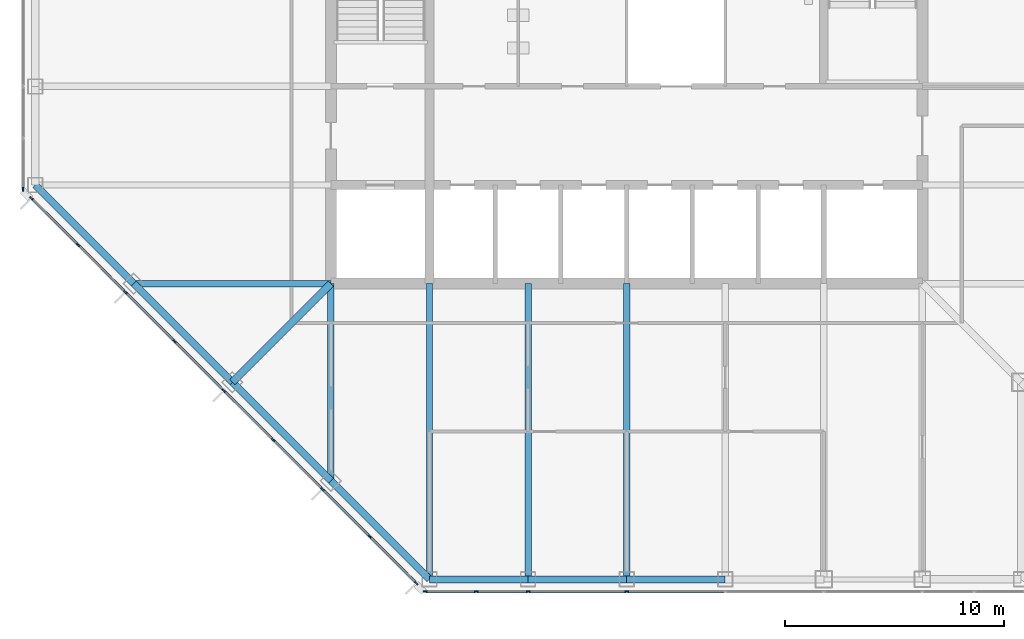
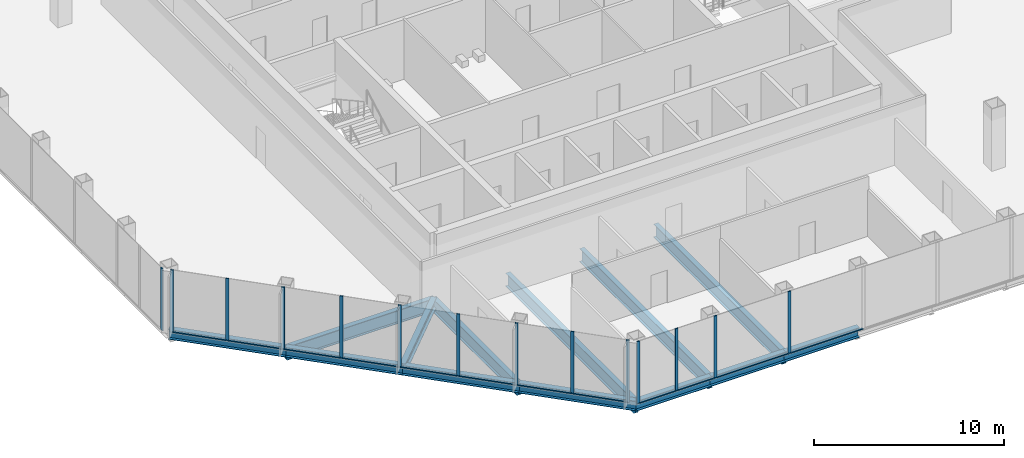
# One storey, part 2 of 12: 26 members, 13 beams, 3 elements without a shape of their own.
"""IFC4 building model written with IfcOpenShell, lengths in metres."""

from ifc_helpers import new_model, si_unit, direction, frame, origin, origin_2d, place, context, subcontext, project, spatial, rectangle, i_section, extrude, material, material_profile, profile_set, type_object, element, aggregate, save


model = new_model("IFC4")

# Units and contexts
model_context = context("Model", 3, precision=1e-05, world=origin(), true_north=direction((0.0, 1.0)))
body_context = subcontext(model_context, "Body", "Model", "MODEL_VIEW")
ifc_project = project(units=[si_unit("LENGTHUNIT", "METRE"), si_unit("AREAUNIT", "SQUARE_METRE"), si_unit("VOLUMEUNIT", "CUBIC_METRE"), si_unit("PLANEANGLEUNIT", "RADIAN"), si_unit("MASSUNIT", "GRAM", prefix="KILO")], contexts=[model_context])

# Site, building, storey
site_placement = place(None, origin())
site = spatial("IfcSite", under=ifc_project, at=site_placement, CompositionType="ELEMENT")
building_placement = place(site_placement, origin())
building = spatial("IfcBuilding", under=site, at=building_placement, Name="Corais Broadcast Tower", CompositionType="ELEMENT")
storey_placement = place(building_placement, frame((0.0, 0.0, 183.60009765625)))
storey = spatial("IfcBuildingStorey", under=building, at=storey_placement, Name="L42", CompositionType="ELEMENT", Elevation=183.60009765625)

# Beams
ifc_material_1 = material(Name="Steel ASTM A572 Grade 50", Category="steel")
ifc_material_profile_1 = material_profile(ifc_material_1, i_section(OverallWidth=0.323974609375, OverallDepth=0.611083984375, WebThickness=0.0126953125, FlangeThickness=0.01904296875, at=origin_2d()), Name="W610x155")
ifc_profile_set_1 = profile_set([ifc_material_profile_1], Name="Steel ASTM A572 Grade 50")
beam_type_1 = type_object("IfcBeamType", Name="Corner diagonal W610x155", PredefinedType="BEAM", material=ifc_profile_set_1)
beam_1_placement = place(storey_placement, frame((9.0, 9.0, -0.465576171875), z_axis=(0.707106781187, 0.707106781187, 0.0), x_axis=(-0.707106781187, 0.707106781187, 0.0)))
element("IfcBeam", 1, at=beam_1_placement, inside=storey, type_object=beam_type_1, Name="B6 C/5 to D/6", PredefinedType="BEAM", context=body_context, shape_type="SweptSolid", body=[
    extrude(i_section(OverallWidth=0.323974609375, OverallDepth=0.611083984375, WebThickness=0.0126953125, FlangeThickness=0.01904296875, at=origin_2d()), origin(), (0.0, 0.0, 1.0), 6.364013671875),
])
ifc_material_2 = material(Name="Steel ASTM A572 Grade 50", Category="steel")
ifc_material_profile_2 = material_profile(ifc_material_2, i_section(OverallWidth=0.2939453125, OverallDepth=0.85107421875, WebThickness=0.01611328125, FlangeThickness=0.02685546875, at=origin_2d()), Name="W840x226")
ifc_profile_set_2 = profile_set([ifc_material_profile_2], Name="Steel ASTM A572 Grade 50")
beam_type_2 = type_object("IfcBeamType", Name="Floor beam W840x226", PredefinedType="BEAM", material=ifc_profile_set_2)
beam_2_placement = place(storey_placement, frame((13.5, 4.5, -0.585693359375), z_axis=(0.0, 1.0, 0.0), x_axis=(-1.0, 0.0, 0.0)))
element("IfcBeam", 2, at=beam_2_placement, inside=storey, type_object=beam_type_2, Name="B1 B/6 to D/6", PredefinedType="BEAM", context=body_context, shape_type="SweptSolid", body=[
    extrude(i_section(OverallWidth=0.2939453125, OverallDepth=0.85107421875, WebThickness=0.01611328125, FlangeThickness=0.02685546875, at=origin_2d()), origin(), (0.0, 0.0, 1.0), 9.0),
])
for number, where, z_axis, x_axis, name in (
    (3, (18.0, 0.0, -0.585693359375), (0.0, 1.0, 0.0), (-1.0, 0.0, 0.0), "B1 A/7 to D/7"),
    (4, (22.5, 0.0, -0.585693359375), (0.0, 1.0, 0.0), (-1.0, 0.0, 0.0), "B1 A/8 to D/8"),
    (5, (27.0, 0.0, -0.585693359375), (0.0, 1.0, 0.0), (-1.0, 0.0, 0.0), "B1 A/9 to D/9"),
):
    element("IfcBeam", number, at=place(storey_placement, frame(where, z_axis=z_axis, x_axis=x_axis)), inside=storey, type_object=beam_type_2, Name=name, PredefinedType="BEAM", context=body_context, shape_type="SweptSolid", body=[
        extrude(i_section(OverallWidth=0.2939453125, OverallDepth=0.85107421875, WebThickness=0.01611328125, FlangeThickness=0.02685546875, at=origin_2d()), origin(), (0.0, 0.0, 1.0), 13.5),
    ])
beam_3_placement = place(storey_placement, frame((4.5, 13.5, -0.585693359375), z_axis=(1.0, 0.0, 0.0), x_axis=(0.0, 1.0, 0.0)))
element("IfcBeam", 6, at=beam_3_placement, inside=storey, type_object=beam_type_2, Name="B1 D/4 to D/6", PredefinedType="BEAM", context=body_context, shape_type="SweptSolid", body=[
    extrude(i_section(OverallWidth=0.2939453125, OverallDepth=0.85107421875, WebThickness=0.01611328125, FlangeThickness=0.02685546875, at=origin_2d()), origin(), (0.0, 0.0, 1.0), 9.0),
])

# Curtain wall, members
ifc_material_3 = material(Name="Aluminium and glass", Category="aluminium")
curtain_wall_type = type_object("IfcCurtainWallType", Name="Unitised fritted curtain wall CW2", PredefinedType="NOTDEFINED", material=ifc_material_3)
curtain_wall_1_placement = place(storey_placement, origin())
curtain_wall_1 = element("IfcCurtainWall", 7, at=curtain_wall_1_placement, inside=storey, type_object=curtain_wall_type, Name="CW2 curtain wall L42 1", PredefinedType="NOTDEFINED")
ifc_material_4 = material(Name="Aluminium 6063-T6", Category="aluminium")
ifc_material_profile_3 = material_profile(ifc_material_4, rectangle(XDim=0.06494140625, YDim=0.179931640625, at=origin_2d()), Name="Mullion CW2 65x180")
ifc_profile_set_3 = profile_set([ifc_material_profile_3], Name="Aluminium 6063-T6")
member_type_1 = type_object("IfcMemberType", Name="Mullion CW2 65x180", PredefinedType="MULLION", material=ifc_profile_set_3)
member_1_placement = place(storey_placement, frame((17.3955078125, -0.17333984375, 0.0), z_axis=(0.0, 0.0, 1.0), x_axis=(-0.707106781187, -0.707106781187, 0.0)))
member_1 = element("IfcMember", 8, at=member_1_placement, type_object=member_type_1, Name="CW2 mullion 1", PredefinedType="MULLION", context=body_context, shape_type="SweptSolid", body=[
    extrude(rectangle(XDim=0.06494140625, YDim=0.179931640625, at=origin_2d()), origin(), (0.0, 0.0, 1.0), 4.0),
])
member_2_placement = place(storey_placement, frame((15.264892578125, 1.957275390625, 0.0), z_axis=(0.0, 0.0, 1.0), x_axis=(-0.707106781187, -0.707106781187, 0.0)))
member_2 = element("IfcMember", 9, at=member_2_placement, type_object=member_type_1, Name="CW2 mullion 2", PredefinedType="MULLION", context=body_context, shape_type="SweptSolid", body=[
    extrude(rectangle(XDim=0.06494140625, YDim=0.179931640625, at=origin_2d()), origin(), (0.0, 0.0, 1.0), 4.0),
])
member_3_placement = place(storey_placement, frame((13.111083984375, 4.111083984375, 0.0), z_axis=(0.0, 0.0, 1.0), x_axis=(-0.707106781187, -0.707106781187, 0.0)))
member_3 = element("IfcMember", 10, at=member_3_placement, type_object=member_type_1, Name="CW2 mullion 3", PredefinedType="MULLION", context=body_context, shape_type="SweptSolid", body=[
    extrude(rectangle(XDim=0.06494140625, YDim=0.179931640625, at=origin_2d()), origin(), (0.0, 0.0, 1.0), 4.0),
])
member_4_placement = place(storey_placement, frame((10.861083984375, 6.361083984375, 0.0), z_axis=(0.0, 0.0, 1.0), x_axis=(-0.707106781187, -0.707106781187, 0.0)))
member_4 = element("IfcMember", 11, at=member_4_placement, type_object=member_type_1, Name="CW2 mullion 4", PredefinedType="MULLION", context=body_context, shape_type="SweptSolid", body=[
    extrude(rectangle(XDim=0.06494140625, YDim=0.179931640625, at=origin_2d()), origin(), (0.0, 0.0, 1.0), 4.0),
])
member_5_placement = place(storey_placement, frame((8.611083984375, 8.611083984375, 0.0), z_axis=(0.0, 0.0, 1.0), x_axis=(-0.707106781187, -0.707106781187, 0.0)))
member_5 = element("IfcMember", 12, at=member_5_placement, type_object=member_type_1, Name="CW2 mullion 5", PredefinedType="MULLION", context=body_context, shape_type="SweptSolid", body=[
    extrude(rectangle(XDim=0.06494140625, YDim=0.179931640625, at=origin_2d()), origin(), (0.0, 0.0, 1.0), 4.0),
])
member_6_placement = place(storey_placement, frame((6.361083984375, 10.861083984375, 0.0), z_axis=(0.0, 0.0, 1.0), x_axis=(-0.707106781187, -0.707106781187, 0.0)))
member_6 = element("IfcMember", 13, at=member_6_placement, type_object=member_type_1, Name="CW2 mullion 6", PredefinedType="MULLION", context=body_context, shape_type="SweptSolid", body=[
    extrude(rectangle(XDim=0.06494140625, YDim=0.179931640625, at=origin_2d()), origin(), (0.0, 0.0, 1.0), 4.0),
])
member_7_placement = place(storey_placement, frame((4.111083984375, 13.111083984375, 0.0), z_axis=(0.0, 0.0, 1.0), x_axis=(-0.707106781187, -0.707106781187, 0.0)))
member_7 = element("IfcMember", 14, at=member_7_placement, type_object=member_type_1, Name="CW2 mullion 7", PredefinedType="MULLION", context=body_context, shape_type="SweptSolid", body=[
    extrude(rectangle(XDim=0.06494140625, YDim=0.179931640625, at=origin_2d()), origin(), (0.0, 0.0, 1.0), 4.0),
])
member_8_placement = place(storey_placement, frame((1.957275390625, 15.264892578125, 0.0), z_axis=(0.0, 0.0, 1.0), x_axis=(-0.707106781187, -0.707106781187, 0.0)))
member_8 = element("IfcMember", 15, at=member_8_placement, type_object=member_type_1, Name="CW2 mullion 8", PredefinedType="MULLION", context=body_context, shape_type="SweptSolid", body=[
    extrude(rectangle(XDim=0.06494140625, YDim=0.179931640625, at=origin_2d()), origin(), (0.0, 0.0, 1.0), 4.0),
])
member_9_placement = place(storey_placement, frame((-0.17333984375, 17.3955078125, 0.0), z_axis=(0.0, 0.0, 1.0), x_axis=(-0.707106781187, -0.707106781187, 0.0)))
member_9 = element("IfcMember", 16, at=member_9_placement, type_object=member_type_1, Name="CW2 mullion 9", PredefinedType="MULLION", context=body_context, shape_type="SweptSolid", body=[
    extrude(rectangle(XDim=0.06494140625, YDim=0.179931640625, at=origin_2d()), origin(), (0.0, 0.0, 1.0), 4.0),
])

# Curtain wall, member
curtain_wall_2_placement = place(storey_placement, origin())
curtain_wall_2 = element("IfcCurtainWall", 17, at=curtain_wall_2_placement, inside=storey, type_object=curtain_wall_type, Name="CW2 curtain wall L42 2", PredefinedType="NOTDEFINED")
member_10_placement = place(storey_placement, frame((-0.550048828125, 17.8046875, 0.0), z_axis=(0.0, 0.0, 1.0), x_axis=(-1.0, 0.0, 0.0)))
member_10 = element("IfcMember", 18, at=member_10_placement, type_object=member_type_1, Name="CW2 mullion 1", PredefinedType="MULLION", context=body_context, shape_type="SweptSolid", body=[
    extrude(rectangle(XDim=0.06494140625, YDim=0.179931640625, at=origin_2d()), origin(), (0.0, 0.0, 1.0), 4.0),
])
aggregate(curtain_wall_2, [member_10])

# Curtain wall, members
curtain_wall_3_placement = place(storey_placement, origin())
curtain_wall_3 = element("IfcCurtainWall", 19, at=curtain_wall_3_placement, inside=storey, type_object=curtain_wall_type, Name="CW2 curtain wall L42 8", PredefinedType="NOTDEFINED")
member_11_placement = place(storey_placement, frame((27.0, -0.550048828125, 0.0), z_axis=(0.0, 0.0, 1.0), x_axis=(0.0, -1.0, 0.0)))
member_11 = element("IfcMember", 20, at=member_11_placement, type_object=member_type_1, Name="CW2 mullion 6", PredefinedType="MULLION", context=body_context, shape_type="SweptSolid", body=[
    extrude(rectangle(XDim=0.06494140625, YDim=0.179931640625, at=origin_2d()), origin(), (0.0, 0.0, 1.0), 4.0),
])
member_12_placement = place(storey_placement, frame((22.5, -0.550048828125, 0.0), z_axis=(0.0, 0.0, 1.0), x_axis=(0.0, -1.0, 0.0)))
member_12 = element("IfcMember", 21, at=member_12_placement, type_object=member_type_1, Name="CW2 mullion 7", PredefinedType="MULLION", context=body_context, shape_type="SweptSolid", body=[
    extrude(rectangle(XDim=0.06494140625, YDim=0.179931640625, at=origin_2d()), origin(), (0.0, 0.0, 1.0), 4.0),
])
member_13_placement = place(storey_placement, frame((20.135986328125, -0.550048828125, 0.0), z_axis=(0.0, 0.0, 1.0), x_axis=(0.0, -1.0, 0.0)))
member_13 = element("IfcMember", 22, at=member_13_placement, type_object=member_type_1, Name="CW2 mullion 8", PredefinedType="MULLION", context=body_context, shape_type="SweptSolid", body=[
    extrude(rectangle(XDim=0.06494140625, YDim=0.179931640625, at=origin_2d()), origin(), (0.0, 0.0, 1.0), 4.0),
])
member_14_placement = place(storey_placement, frame((17.8046875, -0.550048828125, 0.0), z_axis=(0.0, 0.0, 1.0), x_axis=(0.0, -1.0, 0.0)))
member_14 = element("IfcMember", 23, at=member_14_placement, type_object=member_type_1, Name="CW2 mullion 9", PredefinedType="MULLION", context=body_context, shape_type="SweptSolid", body=[
    extrude(rectangle(XDim=0.06494140625, YDim=0.179931640625, at=origin_2d()), origin(), (0.0, 0.0, 1.0), 4.0),
])

# Beams
ifc_material_5 = material(Name="Steel ASTM A572 Grade 50", Category="steel")
ifc_material_profile_4 = material_profile(ifc_material_5, i_section(OverallWidth=0.3291015625, OverallDepth=0.635009765625, WebThickness=0.017822265625, FlangeThickness=0.031005859375, at=origin_2d()), Name="W610x241")
ifc_profile_set_4 = profile_set([ifc_material_profile_4], Name="Steel ASTM A572 Grade 50")
beam_type_3 = type_object("IfcBeamType", Name="Spandrel W610x241", PredefinedType="BEAM", material=ifc_profile_set_4)
for number, where, z_axis, x_axis, name in (
    (24, (0.0, 18.0, -0.4775390625), (0.707106781187, -0.707106781187, 0.0), (0.707106781187, 0.707106781187, 0.0), "SB1 E/3 to D/4"),
    (25, (13.5, 4.5, -0.4775390625), (0.707106781187, -0.707106781187, 0.0), (0.707106781187, 0.707106781187, 0.0), "SB1 B/6 to A/7"),
):
    element("IfcBeam", number, at=place(storey_placement, frame(where, z_axis=z_axis, x_axis=x_axis)), inside=storey, type_object=beam_type_3, Name=name, PredefinedType="BEAM", context=body_context, shape_type="SweptSolid", body=[
        extrude(i_section(OverallWidth=0.3291015625, OverallDepth=0.635009765625, WebThickness=0.017822265625, FlangeThickness=0.031005859375, at=origin_2d()), origin(), (0.0, 0.0, 1.0), 6.364013671875),
    ])
for number, where, z_axis, x_axis, name in (
    (26, (18.0, 0.0, -0.4775390625), (1.0, 0.0, 0.0), (0.0, 1.0, 0.0), "SB1 A/7 to A/8"),
    (27, (22.5, 0.0, -0.4775390625), (1.0, 0.0, 0.0), (0.0, 1.0, 0.0), "SB1 A/8 to A/9"),
    (28, (27.0, 0.0, -0.4775390625), (1.0, 0.0, 0.0), (0.0, 1.0, 0.0), "SB1 A/9 to A/10"),
):
    element("IfcBeam", number, at=place(storey_placement, frame(where, z_axis=z_axis, x_axis=x_axis)), inside=storey, type_object=beam_type_3, Name=name, PredefinedType="BEAM", context=body_context, shape_type="SweptSolid", body=[
        extrude(i_section(OverallWidth=0.3291015625, OverallDepth=0.635009765625, WebThickness=0.017822265625, FlangeThickness=0.031005859375, at=origin_2d()), origin(), (0.0, 0.0, 1.0), 4.5),
    ])
for number, where, z_axis, x_axis, name in (
    (29, (4.5, 13.5, -0.4775390625), (0.707106781187, -0.707106781187, 0.0), (0.707106781187, 0.707106781187, 0.0), "SB1 D/4 to C/5"),
    (30, (9.0, 9.0, -0.4775390625), (0.707106781187, -0.707106781187, 0.0), (0.707106781187, 0.707106781187, 0.0), "SB1 C/5 to B/6"),
):
    element("IfcBeam", number, at=place(storey_placement, frame(where, z_axis=z_axis, x_axis=x_axis)), inside=storey, type_object=beam_type_3, Name=name, PredefinedType="BEAM", context=body_context, shape_type="SweptSolid", body=[
        extrude(i_section(OverallWidth=0.3291015625, OverallDepth=0.635009765625, WebThickness=0.017822265625, FlangeThickness=0.031005859375, at=origin_2d()), origin(), (0.0, 0.0, 1.0), 6.364013671875),
    ])

# Member
ifc_material_6 = material(Name="Aluminium 6063-T6", Category="aluminium")
ifc_material_profile_5 = material_profile(ifc_material_6, rectangle(XDim=0.1298828125, YDim=0.06494140625, at=origin_2d()), Name="Transom CW2 65x130")
ifc_profile_set_5 = profile_set([ifc_material_profile_5], Name="Aluminium 6063-T6")
member_type_2 = type_object("IfcMemberType", Name="Transom CW2 65x130", PredefinedType="USERDEFINED", material=ifc_profile_set_5)
member_15_placement = place(storey_placement, frame((17.37255859375, -0.150390625, 0.032470703125), z_axis=(-0.707106781187, 0.707106781187, 0.0), x_axis=(-0.707106781187, -0.707106781187, 0.0)))
member_15 = element("IfcMember", 31, at=member_15_placement, type_object=member_type_2, Name="CW2 transom 1.1", ObjectType="TRANSOM", PredefinedType="USERDEFINED", context=body_context, shape_type="SweptSolid", body=[
    extrude(rectangle(XDim=0.1298828125, YDim=0.06494140625, at=origin_2d()), origin(), (0.0, 0.0, 1.0), 2.9482421875),
])

member_16_placement = place(storey_placement, frame((15.241943359375, 1.980224609375, 0.032470703125), z_axis=(-0.707106781187, 0.707106781187, 0.0), x_axis=(-0.707106781187, -0.707106781187, 0.0)))
member_16 = element("IfcMember", 32, at=member_16_placement, type_object=member_type_2, Name="CW2 transom 2.1", ObjectType="TRANSOM", PredefinedType="USERDEFINED", context=body_context, shape_type="SweptSolid", body=[
    extrude(rectangle(XDim=0.1298828125, YDim=0.06494140625, at=origin_2d()), origin(), (0.0, 0.0, 1.0), 2.98095703125),
])

member_17_placement = place(storey_placement, frame((13.088134765625, 4.134033203125, 0.032470703125), z_axis=(-0.707106781187, 0.707106781187, 0.0), x_axis=(-0.707106781187, -0.707106781187, 0.0)))
member_17 = element("IfcMember", 33, at=member_17_placement, type_object=member_type_2, Name="CW2 transom 3.1", ObjectType="TRANSOM", PredefinedType="USERDEFINED", context=body_context, shape_type="SweptSolid", body=[
    extrude(rectangle(XDim=0.1298828125, YDim=0.06494140625, at=origin_2d()), origin(), (0.0, 0.0, 1.0), 3.1171875),
])

member_18_placement = place(storey_placement, frame((10.838134765625, 6.384033203125, 0.032470703125), z_axis=(-0.707106781187, 0.707106781187, 0.0), x_axis=(-0.707106781187, -0.707106781187, 0.0)))
member_18 = element("IfcMember", 34, at=member_18_placement, type_object=member_type_2, Name="CW2 transom 4.1", ObjectType="TRANSOM", PredefinedType="USERDEFINED", context=body_context, shape_type="SweptSolid", body=[
    extrude(rectangle(XDim=0.1298828125, YDim=0.06494140625, at=origin_2d()), origin(), (0.0, 0.0, 1.0), 3.1171875),
])

member_19_placement = place(storey_placement, frame((8.588134765625, 8.634033203125, 0.032470703125), z_axis=(-0.707106781187, 0.707106781187, 0.0), x_axis=(-0.707106781187, -0.707106781187, 0.0)))
member_19 = element("IfcMember", 35, at=member_19_placement, type_object=member_type_2, Name="CW2 transom 5.1", ObjectType="TRANSOM", PredefinedType="USERDEFINED", context=body_context, shape_type="SweptSolid", body=[
    extrude(rectangle(XDim=0.1298828125, YDim=0.06494140625, at=origin_2d()), origin(), (0.0, 0.0, 1.0), 3.1171875),
])

member_20_placement = place(storey_placement, frame((6.338134765625, 10.884033203125, 0.032470703125), z_axis=(-0.707106781187, 0.707106781187, 0.0), x_axis=(-0.707106781187, -0.707106781187, 0.0)))
member_20 = element("IfcMember", 36, at=member_20_placement, type_object=member_type_2, Name="CW2 transom 6.1", ObjectType="TRANSOM", PredefinedType="USERDEFINED", context=body_context, shape_type="SweptSolid", body=[
    extrude(rectangle(XDim=0.1298828125, YDim=0.06494140625, at=origin_2d()), origin(), (0.0, 0.0, 1.0), 3.1171875),
])

member_21_placement = place(storey_placement, frame((4.088134765625, 13.134033203125, 0.032470703125), z_axis=(-0.707065828661, 0.70714773134, 0.0), x_axis=(-0.70714773134, -0.707065828661, 0.0)))
member_21 = element("IfcMember", 37, at=member_21_placement, type_object=member_type_2, Name="CW2 transom 7.1", ObjectType="TRANSOM", PredefinedType="USERDEFINED", context=body_context, shape_type="SweptSolid", body=[
    extrude(rectangle(XDim=0.1298828125, YDim=0.06494140625, at=origin_2d()), origin(), (0.0, 0.0, 1.0), 2.98095703125),
])

member_22_placement = place(storey_placement, frame((1.934326171875, 15.287841796875, 0.032470703125), z_axis=(-0.707106781187, 0.707106781187, 0.0), x_axis=(-0.707106781187, -0.707106781187, 0.0)))
member_22 = element("IfcMember", 38, at=member_22_placement, type_object=member_type_2, Name="CW2 transom 8.1", ObjectType="TRANSOM", PredefinedType="USERDEFINED", context=body_context, shape_type="SweptSolid", body=[
    extrude(rectangle(XDim=0.1298828125, YDim=0.06494140625, at=origin_2d()), origin(), (0.0, 0.0, 1.0), 2.9482421875),
])

aggregate(curtain_wall_1, [member_1, member_2, member_3, member_4, member_5, member_6, member_7, member_8, member_9, member_15, member_16, member_17, member_18, member_19, member_20, member_21, member_22])

member_23_placement = place(storey_placement, frame((31.467529296875, -0.550048828125, 0.032470703125), z_axis=(-1.0, 0.0, 0.0), x_axis=(0.0, -1.0, 0.0)))
member_23 = element("IfcMember", 39, at=member_23_placement, type_object=member_type_2, Name="CW2 transom 5.1", ObjectType="TRANSOM", PredefinedType="USERDEFINED", context=body_context, shape_type="SweptSolid", body=[
    extrude(rectangle(XDim=0.1298828125, YDim=0.06494140625, at=origin_2d()), origin(), (0.0, 0.0, 1.0), 4.43505859375),
])

member_24_placement = place(storey_placement, frame((26.967529296875, -0.550048828125, 0.032470703125), z_axis=(-1.0, 0.0, 0.0), x_axis=(0.0, -1.0, 0.0)))
member_24 = element("IfcMember", 40, at=member_24_placement, type_object=member_type_2, Name="CW2 transom 6.1", ObjectType="TRANSOM", PredefinedType="USERDEFINED", context=body_context, shape_type="SweptSolid", body=[
    extrude(rectangle(XDim=0.1298828125, YDim=0.06494140625, at=origin_2d()), origin(), (0.0, 0.0, 1.0), 4.43505859375),
])

member_25_placement = place(storey_placement, frame((22.467529296875, -0.550048828125, 0.032470703125), z_axis=(-1.0, 0.0, 0.0), x_axis=(0.0, -1.0, 0.0)))
member_25 = element("IfcMember", 41, at=member_25_placement, type_object=member_type_2, Name="CW2 transom 7.1", ObjectType="TRANSOM", PredefinedType="USERDEFINED", context=body_context, shape_type="SweptSolid", body=[
    extrude(rectangle(XDim=0.1298828125, YDim=0.06494140625, at=origin_2d()), origin(), (0.0, 0.0, 1.0), 2.298828125),
])

member_26_placement = place(storey_placement, frame((20.103515625, -0.550048828125, 0.032470703125), z_axis=(-1.0, 0.0, 0.0), x_axis=(0.0, -1.0, 0.0)))
member_26 = element("IfcMember", 42, at=member_26_placement, type_object=member_type_2, Name="CW2 transom 8.1", ObjectType="TRANSOM", PredefinedType="USERDEFINED", context=body_context, shape_type="SweptSolid", body=[
    extrude(rectangle(XDim=0.1298828125, YDim=0.06494140625, at=origin_2d()), origin(), (0.0, 0.0, 1.0), 2.266357421875),
])

aggregate(curtain_wall_3, [member_11, member_12, member_13, member_14, member_23, member_24, member_25, member_26])

save(model, "model.ifc")
